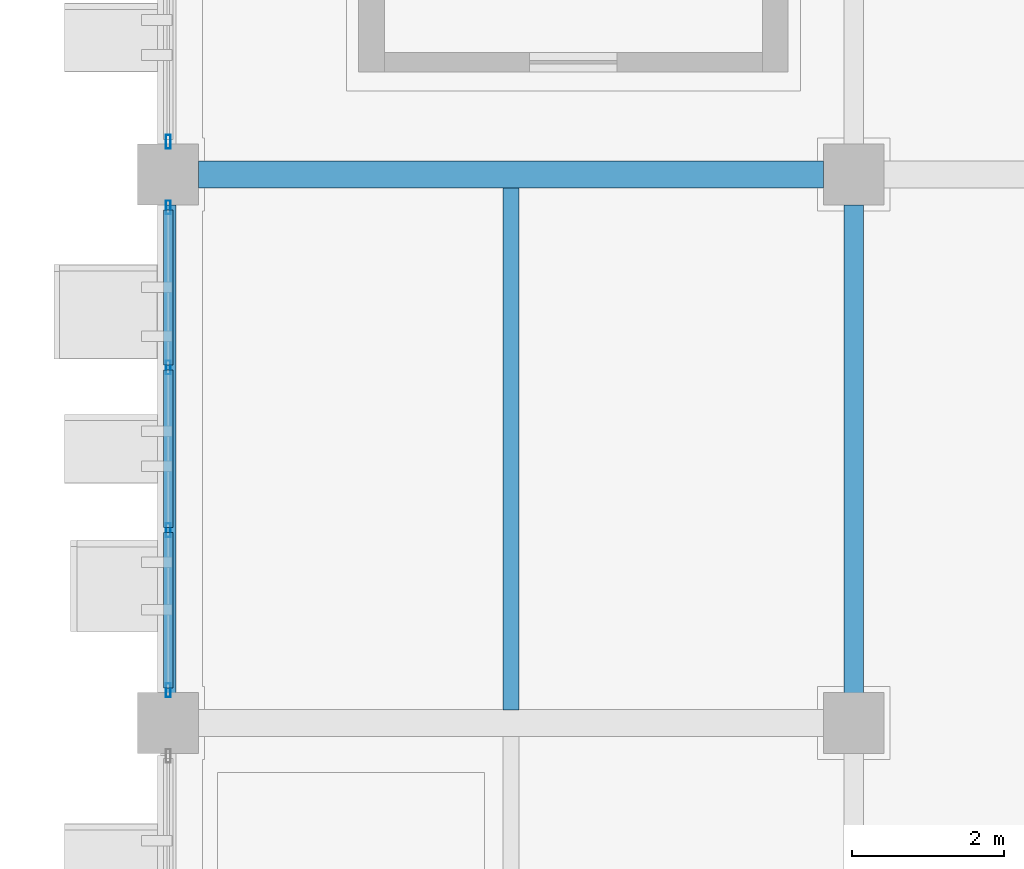
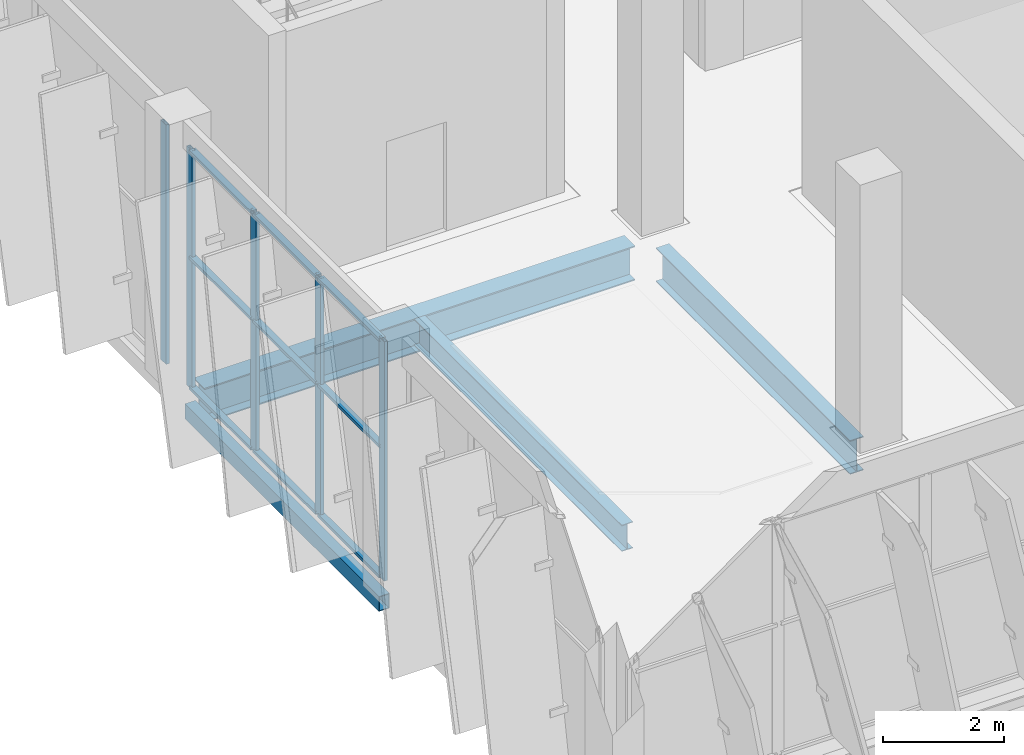
# One storey, part 28 of 137: 14 members, 4 beams, 2 elements without a shape of their own.
"""IFC4 building model written with IfcOpenShell, lengths in metres."""

from ifc_helpers import new_model, si_unit, direction, frame, origin, origin_2d, place, context, subcontext, project, spatial, hollow_rectangle, i_section, extrude, material, layer, layer_set, material_profile, profile_set, type_object, element, aggregate, save


model = new_model("IFC4")

# Units and contexts
model_context = context("Model", 3, precision=1e-05, world=origin(), true_north=direction((0.0, 1.0)))
body_context = subcontext(model_context, "Body", "Model", "MODEL_VIEW")
ifc_project = project(units=[si_unit("LENGTHUNIT", "METRE"), si_unit("AREAUNIT", "SQUARE_METRE"), si_unit("VOLUMEUNIT", "CUBIC_METRE"), si_unit("PLANEANGLEUNIT", "RADIAN"), si_unit("MASSUNIT", "GRAM", prefix="KILO")], contexts=[model_context])

# Site, building, storey
site_placement = place(None, origin())
site = spatial("IfcSite", under=ifc_project, at=site_placement, CompositionType="ELEMENT")
building_placement = place(site_placement, origin())
building = spatial("IfcBuilding", under=site, at=building_placement, Name="Celestram Park Convention Centre", CompositionType="ELEMENT")
storey_placement = place(building_placement, origin())
storey = spatial("IfcBuildingStorey", under=building, at=storey_placement, Name="L00", CompositionType="ELEMENT", Elevation=0.0)

# Curtain wall, members
ifc_material_1 = material(Name="Anodised Aluminium Alloy 6063-T6", Category="aluminium")
ifc_layer = layer(ifc_material_1, 0.179931640625)
ifc_layer_set = layer_set([ifc_layer], Name="Anodised Aluminium Alloy 6063-T6")
curtain_wall_type = type_object("IfcCurtainWallType", Name="ARC-CW-640X482", PredefinedType="NOTDEFINED", material=ifc_layer_set)
curtain_wall_1_placement = place(storey_placement, origin())
curtain_wall_1 = element("IfcCurtainWall", 1, at=curtain_wall_1_placement, inside=storey, type_object=curtain_wall_type, Name="Unitised curtain wall CU-L00-034", PredefinedType="NOTDEFINED")
ifc_material_profile_1 = material_profile(ifc_material_1, hollow_rectangle(XDim=0.06494140625, YDim=0.179931640625, WallThickness=0.00390625, at=origin_2d()), Name="ALU65X180X4")
ifc_profile_set_1 = profile_set([ifc_material_profile_1], Name="Anodised Aluminium Alloy 6063-T6")
member_type_1 = type_object("IfcMemberType", Name="ARC-CWM-150", PredefinedType="MULLION", material=ifc_profile_set_1)
member_1_placement = place(storey_placement, frame((144.0, 7.630615234375, 0.0), z_axis=(0.0, 0.0, 1.0), x_axis=(-1.0, 0.0, 0.0)))
member_1 = element("IfcMember", 2, at=member_1_placement, type_object=member_type_1, Name="CW-64X48 mullion 1", PredefinedType="MULLION", context=body_context, shape_type="SweptSolid", body=[
    extrude(hollow_rectangle(XDim=0.06494140625, YDim=0.179931640625, WallThickness=0.00390625, at=origin_2d()), origin(), (0.0, 0.0, 1.0), 4.820068359375),
])
member_2_placement = place(storey_placement, frame((144.0, 9.732666015625, 0.0), z_axis=(0.0, 0.0, 1.0), x_axis=(-1.0, 0.0, 0.0)))
member_2 = element("IfcMember", 3, at=member_2_placement, type_object=member_type_1, Name="CW-64X48 mullion 2", PredefinedType="MULLION", context=body_context, shape_type="SweptSolid", body=[
    extrude(hollow_rectangle(XDim=0.06494140625, YDim=0.179931640625, WallThickness=0.00390625, at=origin_2d()), origin(), (0.0, 0.0, 1.0), 4.820068359375),
])
member_3_placement = place(storey_placement, frame((144.0, 11.867431640625, 0.0), z_axis=(0.0, 0.0, 1.0), x_axis=(-1.0, 0.0, 0.0)))
member_3 = element("IfcMember", 4, at=member_3_placement, type_object=member_type_1, Name="CW-64X48 mullion 3", PredefinedType="MULLION", context=body_context, shape_type="SweptSolid", body=[
    extrude(hollow_rectangle(XDim=0.06494140625, YDim=0.179931640625, WallThickness=0.00390625, at=origin_2d()), origin(), (0.0, 0.0, 1.0), 4.820068359375),
])
member_4_placement = place(storey_placement, frame((144.0, 13.969482421875, 0.0), z_axis=(0.0, 0.0, 1.0), x_axis=(-1.0, 0.0, 0.0)))
member_4 = element("IfcMember", 5, at=member_4_placement, type_object=member_type_1, Name="CW-64X48 mullion 4", PredefinedType="MULLION", context=body_context, shape_type="SweptSolid", body=[
    extrude(hollow_rectangle(XDim=0.06494140625, YDim=0.179931640625, WallThickness=0.00390625, at=origin_2d()), origin(), (0.0, 0.0, 1.0), 4.820068359375),
])

# Curtain wall, member
curtain_wall_2_placement = place(storey_placement, origin())
curtain_wall_2 = element("IfcCurtainWall", 6, at=curtain_wall_2_placement, inside=storey, type_object=curtain_wall_type, Name="Unitised curtain wall CU-L00-035", PredefinedType="NOTDEFINED")
member_5_placement = place(storey_placement, frame((144.0, 14.83056640625, 0.0), z_axis=(0.0, 0.0, 1.0), x_axis=(-1.0, 0.0, 0.0)))
member_5 = element("IfcMember", 7, at=member_5_placement, type_object=member_type_1, Name="CW-64X48 mullion 1", PredefinedType="MULLION", context=body_context, shape_type="SweptSolid", body=[
    extrude(hollow_rectangle(XDim=0.06494140625, YDim=0.179931640625, WallThickness=0.00390625, at=origin_2d()), origin(), (0.0, 0.0, 1.0), 4.820068359375),
])
aggregate(curtain_wall_2, [member_5])

# Member
ifc_material_profile_2 = material_profile(ifc_material_1, hollow_rectangle(XDim=0.1201171875, YDim=0.06005859375, WallThickness=0.0029296875, at=origin_2d()), Name="ALU120X60X3")
ifc_profile_set_2 = profile_set([ifc_material_profile_2], Name="Anodised Aluminium Alloy 6063-T6")
member_type_2 = type_object("IfcMemberType", Name="ARC-CWT-120", PredefinedType="USERDEFINED", material=ifc_profile_set_2)
member_6_placement = place(storey_placement, frame((144.0, 7.6630859375, 0.030029296875), z_axis=(0.0, 1.0, 0.0), x_axis=(-1.0, 0.0, 0.0)))
member_6 = element("IfcMember", 8, at=member_6_placement, type_object=member_type_2, Name="CW-64X48 transom 1.1", ObjectType="TRANSOM", PredefinedType="USERDEFINED", context=body_context, shape_type="SweptSolid", body=[
    extrude(hollow_rectangle(XDim=0.1201171875, YDim=0.06005859375, WallThickness=0.0029296875, at=origin_2d()), origin(), (0.0, 0.0, 1.0), 2.037109375),
])

member_7_placement = place(storey_placement, frame((144.0, 7.6630859375, 2.64990234375), z_axis=(0.0, 1.0, 0.0), x_axis=(-1.0, 0.0, 0.0)))
member_7 = element("IfcMember", 9, at=member_7_placement, type_object=member_type_2, Name="CW-64X48 transom 1.2", ObjectType="TRANSOM", PredefinedType="USERDEFINED", context=body_context, shape_type="SweptSolid", body=[
    extrude(hollow_rectangle(XDim=0.1201171875, YDim=0.06005859375, WallThickness=0.0029296875, at=origin_2d()), origin(), (0.0, 0.0, 1.0), 2.037109375),
])

member_8_placement = place(storey_placement, frame((144.0, 7.6630859375, 4.7900390625), z_axis=(0.0, 1.0, 0.0), x_axis=(-1.0, 0.0, 0.0)))
member_8 = element("IfcMember", 10, at=member_8_placement, type_object=member_type_2, Name="CW-64X48 transom 1.3", ObjectType="TRANSOM", PredefinedType="USERDEFINED", context=body_context, shape_type="SweptSolid", body=[
    extrude(hollow_rectangle(XDim=0.1201171875, YDim=0.06005859375, WallThickness=0.0029296875, at=origin_2d()), origin(), (0.0, 0.0, 1.0), 2.037109375),
])

member_9_placement = place(storey_placement, frame((144.0, 9.76513671875, 0.030029296875), z_axis=(0.0, 1.0, 0.0), x_axis=(-1.0, 0.0, 0.0)))
member_9 = element("IfcMember", 11, at=member_9_placement, type_object=member_type_2, Name="CW-64X48 transom 2.1", ObjectType="TRANSOM", PredefinedType="USERDEFINED", context=body_context, shape_type="SweptSolid", body=[
    extrude(hollow_rectangle(XDim=0.1201171875, YDim=0.06005859375, WallThickness=0.0029296875, at=origin_2d()), origin(), (0.0, 0.0, 1.0), 2.069580078125),
])

member_10_placement = place(storey_placement, frame((144.0, 9.76513671875, 2.64990234375), z_axis=(0.0, 1.0, 0.0), x_axis=(-1.0, 0.0, 0.0)))
member_10 = element("IfcMember", 12, at=member_10_placement, type_object=member_type_2, Name="CW-64X48 transom 2.2", ObjectType="TRANSOM", PredefinedType="USERDEFINED", context=body_context, shape_type="SweptSolid", body=[
    extrude(hollow_rectangle(XDim=0.1201171875, YDim=0.06005859375, WallThickness=0.0029296875, at=origin_2d()), origin(), (0.0, 0.0, 1.0), 2.069580078125),
])

member_11_placement = place(storey_placement, frame((144.0, 9.76513671875, 4.7900390625), z_axis=(0.0, 1.0, 0.0), x_axis=(-1.0, 0.0, 0.0)))
member_11 = element("IfcMember", 13, at=member_11_placement, type_object=member_type_2, Name="CW-64X48 transom 2.3", ObjectType="TRANSOM", PredefinedType="USERDEFINED", context=body_context, shape_type="SweptSolid", body=[
    extrude(hollow_rectangle(XDim=0.1201171875, YDim=0.06005859375, WallThickness=0.0029296875, at=origin_2d()), origin(), (0.0, 0.0, 1.0), 2.069580078125),
])

member_12_placement = place(storey_placement, frame((144.0, 11.89990234375, 0.030029296875), z_axis=(0.0, 1.0, 0.0), x_axis=(-1.0, 0.0, 0.0)))
member_12 = element("IfcMember", 14, at=member_12_placement, type_object=member_type_2, Name="CW-64X48 transom 3.1", ObjectType="TRANSOM", PredefinedType="USERDEFINED", context=body_context, shape_type="SweptSolid", body=[
    extrude(hollow_rectangle(XDim=0.1201171875, YDim=0.06005859375, WallThickness=0.0029296875, at=origin_2d()), origin(), (0.0, 0.0, 1.0), 2.037109375),
])

member_13_placement = place(storey_placement, frame((144.0, 11.89990234375, 2.64990234375), z_axis=(0.0, 1.0, 0.0), x_axis=(-1.0, 0.0, 0.0)))
member_13 = element("IfcMember", 15, at=member_13_placement, type_object=member_type_2, Name="CW-64X48 transom 3.2", ObjectType="TRANSOM", PredefinedType="USERDEFINED", context=body_context, shape_type="SweptSolid", body=[
    extrude(hollow_rectangle(XDim=0.1201171875, YDim=0.06005859375, WallThickness=0.0029296875, at=origin_2d()), origin(), (0.0, 0.0, 1.0), 2.037109375),
])

member_14_placement = place(storey_placement, frame((144.0, 11.89990234375, 4.7900390625), z_axis=(0.0, 1.0, 0.0), x_axis=(-1.0, 0.0, 0.0)))
member_14 = element("IfcMember", 16, at=member_14_placement, type_object=member_type_2, Name="CW-64X48 transom 3.3", ObjectType="TRANSOM", PredefinedType="USERDEFINED", context=body_context, shape_type="SweptSolid", body=[
    extrude(hollow_rectangle(XDim=0.1201171875, YDim=0.06005859375, WallThickness=0.0029296875, at=origin_2d()), origin(), (0.0, 0.0, 1.0), 2.037109375),
])

aggregate(curtain_wall_1, [member_1, member_2, member_3, member_4, member_6, member_7, member_8, member_9, member_10, member_11, member_12, member_13, member_14])

# Beams
ifc_material_2 = material(Name="Steel ASTM A992 Grade 50", Category="steel")
ifc_material_profile_3 = material_profile(ifc_material_2, i_section(OverallWidth=0.35595703125, OverallDepth=0.696044921875, WebThickness=0.015380859375, FlangeThickness=0.02490234375, at=origin_2d()), Name="W27X146")
ifc_profile_set_3 = profile_set([ifc_material_profile_3], Name="Steel ASTM A992 Grade 50")
beam_type_1 = type_object("IfcBeamType", Name="STR-BM-W27X146", PredefinedType="BEAM", material=ifc_profile_set_3)
beam_1_placement = place(storey_placement, frame((144.39794921875, 14.39990234375, -0.66796875), z_axis=(1.0, 0.0, 0.0), x_axis=(0.0, 1.0, 0.0)))
element("IfcBeam", 17, at=beam_1_placement, inside=storey, type_object=beam_type_1, Name="Primary X-girder BG-L00-0664", PredefinedType="BEAM", context=body_context, shape_type="SweptSolid", body=[
    extrude(i_section(OverallWidth=0.35595703125, OverallDepth=0.696044921875, WebThickness=0.015380859375, FlangeThickness=0.02490234375, at=origin_2d()), origin(), (0.0, 0.0, 1.0), 8.2041015625),
])
ifc_material_profile_4 = material_profile(ifc_material_2, i_section(OverallWidth=0.25390625, OverallDepth=0.68310546875, WebThickness=0.012451171875, FlangeThickness=0.01904296875, at=origin_2d()), Name="W27X94")
ifc_profile_set_4 = profile_set([ifc_material_profile_4], Name="Steel ASTM A992 Grade 50")
beam_type_2 = type_object("IfcBeamType", Name="STR-BM-W27X94", PredefinedType="BEAM", material=ifc_profile_set_4)
beam_2_placement = place(storey_placement, frame((153.0, 7.597900390625, -0.66162109375), z_axis=(0.0, 1.0, 0.0), x_axis=(-1.0, 0.0, 0.0)))
element("IfcBeam", 18, at=beam_2_placement, inside=storey, type_object=beam_type_2, Name="Primary Y-girder BG-L00-0694", PredefinedType="BEAM", context=body_context, shape_type="SweptSolid", body=[
    extrude(i_section(OverallWidth=0.25390625, OverallDepth=0.68310546875, WebThickness=0.012451171875, FlangeThickness=0.01904296875, at=origin_2d()), origin(), (0.0, 0.0, 1.0), 6.404052734375),
])
ifc_material_profile_5 = material_profile(ifc_material_2, i_section(OverallWidth=0.2099609375, OverallDepth=0.532958984375, WebThickness=0.01025390625, FlangeThickness=0.015625, at=origin_2d()), Name="W21X62")
ifc_profile_set_5 = profile_set([ifc_material_profile_5], Name="Steel ASTM A992 Grade 50")
beam_type_3 = type_object("IfcBeamType", Name="STR-JST-W21X62", PredefinedType="JOIST", material=ifc_profile_set_5)
beam_3_placement = place(storey_placement, frame((148.5, 7.3740234375, -0.58642578125), z_axis=(0.0, 1.0, 0.0), x_axis=(-1.0, 0.0, 0.0)))
element("IfcBeam", 19, at=beam_3_placement, inside=storey, type_object=beam_type_3, Name="Secondary composite joist BG-L00-1172", PredefinedType="JOIST", context=body_context, shape_type="SweptSolid", body=[
    extrude(i_section(OverallWidth=0.2099609375, OverallDepth=0.532958984375, WebThickness=0.01025390625, FlangeThickness=0.015625, at=origin_2d()), origin(), (0.0, 0.0, 1.0), 6.85205078125),
])
ifc_material_3 = material(Name="Steel ASTM A500 Grade C", Category="steel")
ifc_material_profile_6 = material_profile(ifc_material_3, hollow_rectangle(XDim=0.199951171875, YDim=0.300048828125, WallThickness=0.011962890625, at=origin_2d()), Name="HSS300X200X12")
ifc_profile_set_6 = profile_set([ifc_material_profile_6], Name="Steel ASTM A500 Grade C")
beam_type_4 = type_object("IfcBeamType", Name="STR-SPN-HSS300X200", PredefinedType="SPANDREL", material=ifc_profile_set_6)
beam_4_placement = place(storey_placement, frame((144.0, 7.597900390625, -0.469970703125), z_axis=(0.0, 1.0, 0.0), x_axis=(-1.0, 0.0, 0.0)))
element("IfcBeam", 20, at=beam_4_placement, inside=storey, type_object=beam_type_4, Name="Primary Y-girder BG-L00-0663", PredefinedType="SPANDREL", context=body_context, shape_type="SweptSolid", body=[
    extrude(hollow_rectangle(XDim=0.199951171875, YDim=0.300048828125, WallThickness=0.011962890625, at=origin_2d()), origin(), (0.0, 0.0, 1.0), 6.404052734375),
])

save(model, "model.ifc")
